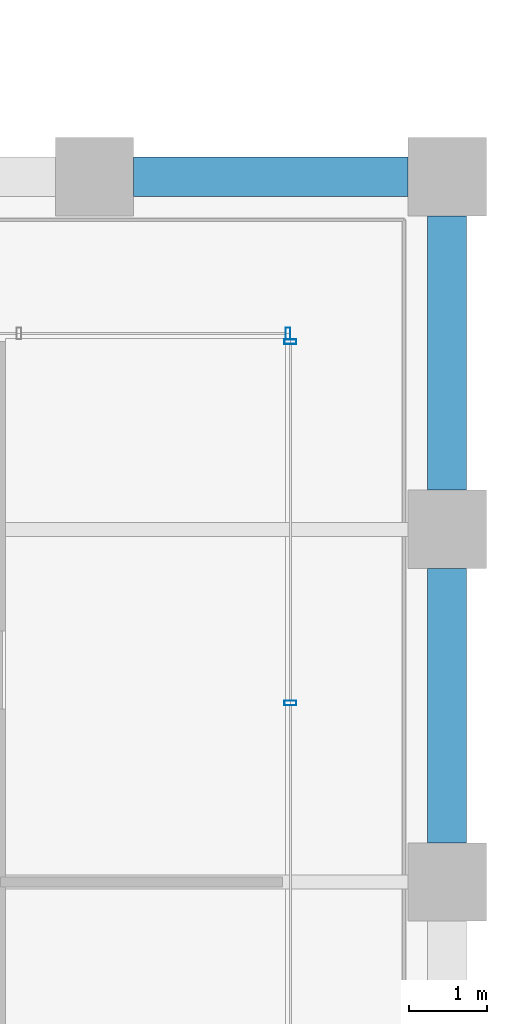
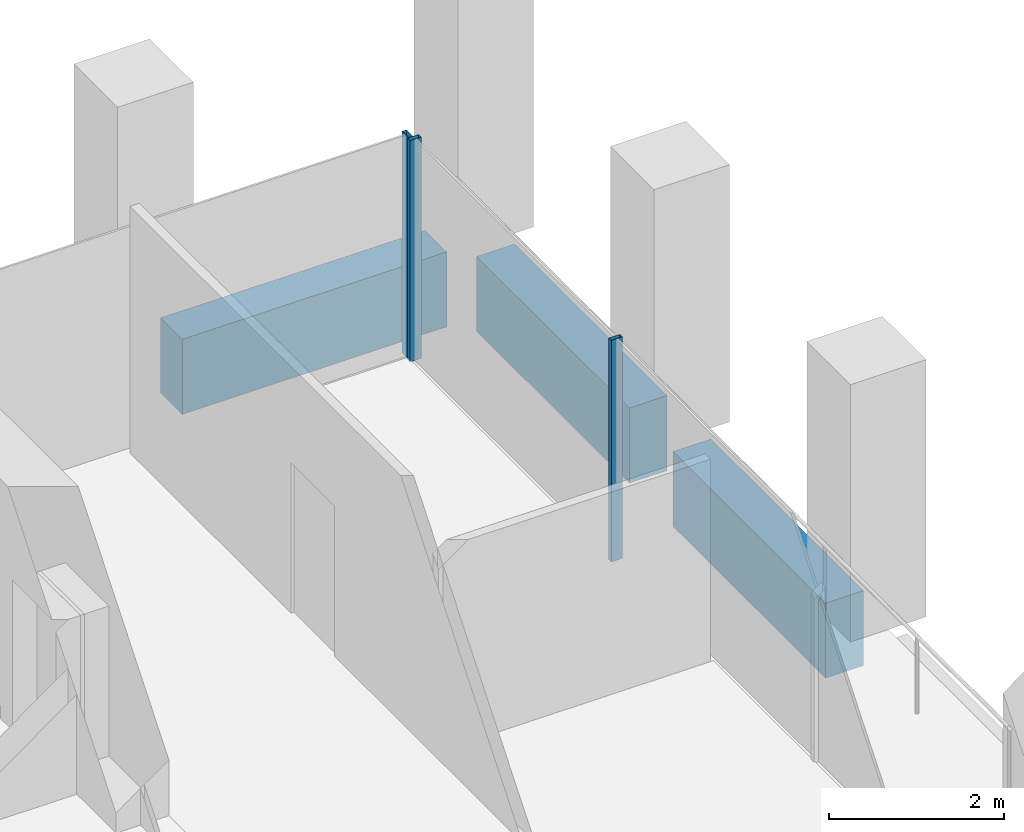
# One storey, part 38 of 46: 3 beams, 3 members, 2 elements without a shape of their own.
"""IFC4 building model written with IfcOpenShell, lengths in metres."""

from ifc_helpers import new_model, si_unit, direction, frame, origin, origin_2d, place, context, subcontext, project, spatial, rectangle, hollow_rectangle, extrude, material, material_profile, profile_set, type_object, element, aggregate, save


model = new_model("IFC4")

# Units and contexts
model_context = context("Model", 3, precision=1e-05, world=origin(), true_north=direction((0.0, 1.0)))
body_context = subcontext(model_context, "Body", "Model", "MODEL_VIEW")
ifc_project = project(units=[si_unit("LENGTHUNIT", "METRE"), si_unit("AREAUNIT", "SQUARE_METRE"), si_unit("VOLUMEUNIT", "CUBIC_METRE"), si_unit("PLANEANGLEUNIT", "RADIAN"), si_unit("MASSUNIT", "GRAM", prefix="KILO")], contexts=[model_context])

# Site, building, storey
site_placement = place(None, origin())
site = spatial("IfcSite", under=ifc_project, at=site_placement, CompositionType="ELEMENT")
building_placement = place(site_placement, origin())
building = spatial("IfcBuilding", under=site, at=building_placement, Name="Altepetl Exchange Towers", CompositionType="ELEMENT")
storey_placement = place(building_placement, frame((0.0, 0.0, 120.800048828125)))
storey = spatial("IfcBuildingStorey", under=building, at=storey_placement, Name="L29", CompositionType="ELEMENT", Elevation=120.800048828125)

# Curtain wall, members
ifc_material_1 = material(Name="Aluminium 6063-T6 glazing", Category="aluminium")
curtain_wall_type = type_object("IfcCurtainWallType", Name="Loggia glazing system", PredefinedType="NOTDEFINED", material=ifc_material_1)
curtain_wall_1_placement = place(storey_placement, origin())
curtain_wall_1 = element("IfcCurtainWall", 1, at=curtain_wall_1_placement, inside=storey, type_object=curtain_wall_type, Name="CW1 run", PredefinedType="NOTDEFINED")
ifc_material_2 = material(Name="Aluminium 6063-T6", Category="aluminium")
ifc_material_profile_1 = material_profile(ifc_material_2, hollow_rectangle(XDim=0.06005859375, YDim=0.14990234375, WallThickness=0.0029296875, at=origin_2d()), Name="Mullion 60x150 aluminium")
ifc_profile_set_1 = profile_set([ifc_material_profile_1], Name="Aluminium 6063-T6")
member_type = type_object("IfcMemberType", Name="Mullion 60x150 aluminium", PredefinedType="MULLION", material=ifc_profile_set_1)
member_1_placement = place(storey_placement, frame((124.0, 42.783447265625, 0.0), z_axis=(0.0, 0.0, 1.0), x_axis=(0.0, 1.0, 0.0)))
member_1 = element("IfcMember", 2, at=member_1_placement, type_object=member_type, Name="MU1 mullion", PredefinedType="MULLION", context=body_context, shape_type="SweptSolid", body=[
    extrude(hollow_rectangle(XDim=0.06005859375, YDim=0.14990234375, WallThickness=0.0029296875, at=origin_2d()), origin(), (0.0, 0.0, 1.0), 3.099853515625),
])
member_2_placement = place(storey_placement, frame((124.0, 47.39501953125, 0.0), z_axis=(0.0, 0.0, 1.0), x_axis=(0.0, 1.0, 0.0)))
member_2 = element("IfcMember", 3, at=member_2_placement, type_object=member_type, Name="MU1 mullion", PredefinedType="MULLION", context=body_context, shape_type="SweptSolid", body=[
    extrude(hollow_rectangle(XDim=0.06005859375, YDim=0.14990234375, WallThickness=0.0029296875, at=origin_2d()), origin(), (0.0, 0.0, 1.0), 3.099853515625),
])
aggregate(curtain_wall_1, [member_1, member_2])

# Curtain wall, member
curtain_wall_2_placement = place(storey_placement, origin())
curtain_wall_2 = element("IfcCurtainWall", 4, at=curtain_wall_2_placement, inside=storey, type_object=curtain_wall_type, Name="CW1 run", PredefinedType="NOTDEFINED")
member_3_placement = place(storey_placement, frame((123.969970703125, 47.5, 0.0), z_axis=(0.0, 0.0, 1.0), x_axis=(-1.0, 0.0, 0.0)))
member_3 = element("IfcMember", 5, at=member_3_placement, type_object=member_type, Name="MU1 mullion", PredefinedType="MULLION", context=body_context, shape_type="SweptSolid", body=[
    extrude(hollow_rectangle(XDim=0.06005859375, YDim=0.14990234375, WallThickness=0.0029296875, at=origin_2d()), origin(), (0.0, 0.0, 1.0), 3.099853515625),
])
aggregate(curtain_wall_2, [member_3])

# Beams
ifc_material_3 = material(Name="Concrete C50/60 precast with cantera amarilla facing", Category="concrete")
ifc_material_profile_2 = material_profile(ifc_material_3, rectangle(XDim=0.5, YDim=1.050048828125, at=origin_2d()), Name="500 x 1050")
ifc_profile_set_2 = profile_set([ifc_material_profile_2], Name="Concrete C50/60 precast with cantera amarilla facing")
beam_type_1 = type_object("IfcBeamType", Name="Spandrel beam 500x1050 cantera amarilla", PredefinedType="SPANDREL", material=ifc_profile_set_2)
beam_placement = place(storey_placement, frame((125.5, 49.5, -0.675048828125), z_axis=(-1.0, 0.0, 0.0), x_axis=(0.0, -1.0, 0.0)))
element("IfcBeam", 6, at=beam_placement, inside=storey, type_object=beam_type_1, Name="sp:B:L29:013", PredefinedType="SPANDREL", context=body_context, shape_type="SweptSolid", body=[
    extrude(rectangle(XDim=0.5, YDim=1.050048828125, at=origin_2d()), origin(), (0.0, 0.0, 1.0), 3.5),
])
ifc_material_4 = material(Name="Concrete C50/60 precast with cantera blanca facing", Category="concrete")
ifc_material_profile_3 = material_profile(ifc_material_4, rectangle(XDim=0.5, YDim=1.050048828125, at=origin_2d()), Name="500 x 1050")
ifc_profile_set_3 = profile_set([ifc_material_profile_3], Name="Concrete C50/60 precast with cantera blanca facing")
beam_type_2 = type_object("IfcBeamType", Name="Spandrel beam 500x1050 cantera blanca", PredefinedType="SPANDREL", material=ifc_profile_set_3)
for number, where, z_axis, x_axis, name in (
    (7, (126.0, 41.0, -0.675048828125), (0.0, 1.0, 0.0), (-1.0, 0.0, 0.0), "sp:B:L29:011"),
    (8, (126.0, 45.5, -0.675048828125), (0.0, 1.0, 0.0), (-1.0, 0.0, 0.0), "sp:B:L29:012"),
):
    element("IfcBeam", number, at=place(storey_placement, frame(where, z_axis=z_axis, x_axis=x_axis)), inside=storey, type_object=beam_type_2, Name=name, PredefinedType="SPANDREL", context=body_context, shape_type="SweptSolid", body=[
        extrude(rectangle(XDim=0.5, YDim=1.050048828125, at=origin_2d()), origin(), (0.0, 0.0, 1.0), 3.5),
    ])

save(model, "model.ifc")
